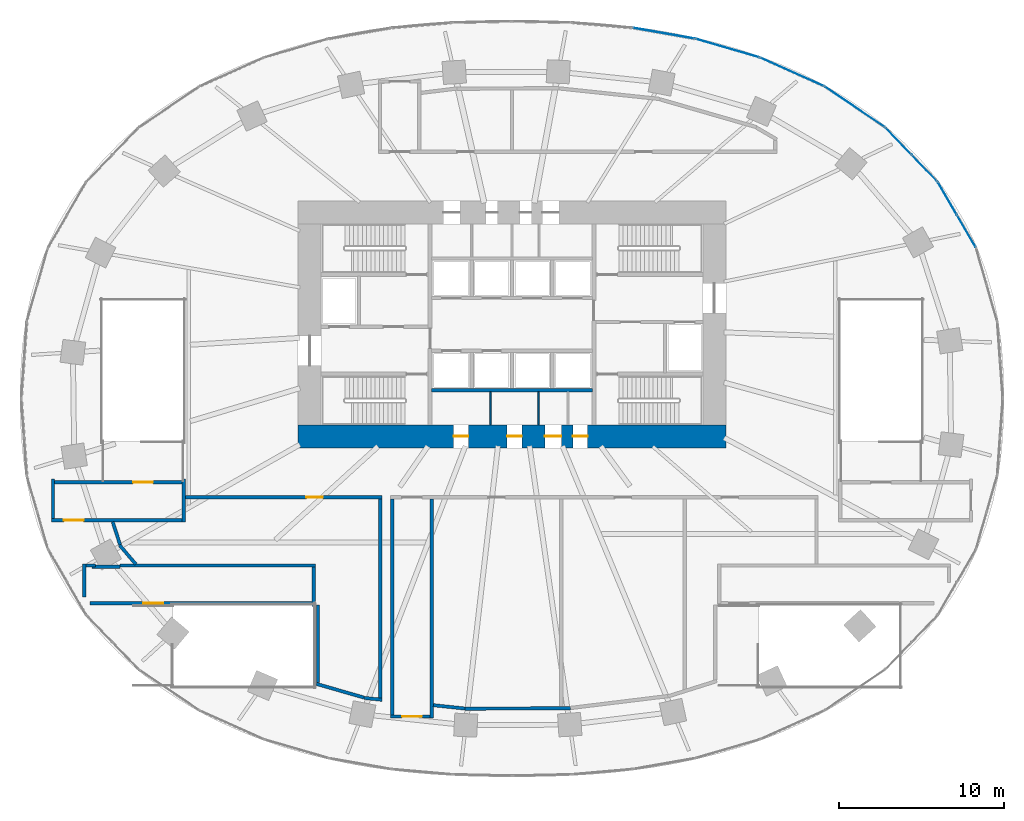
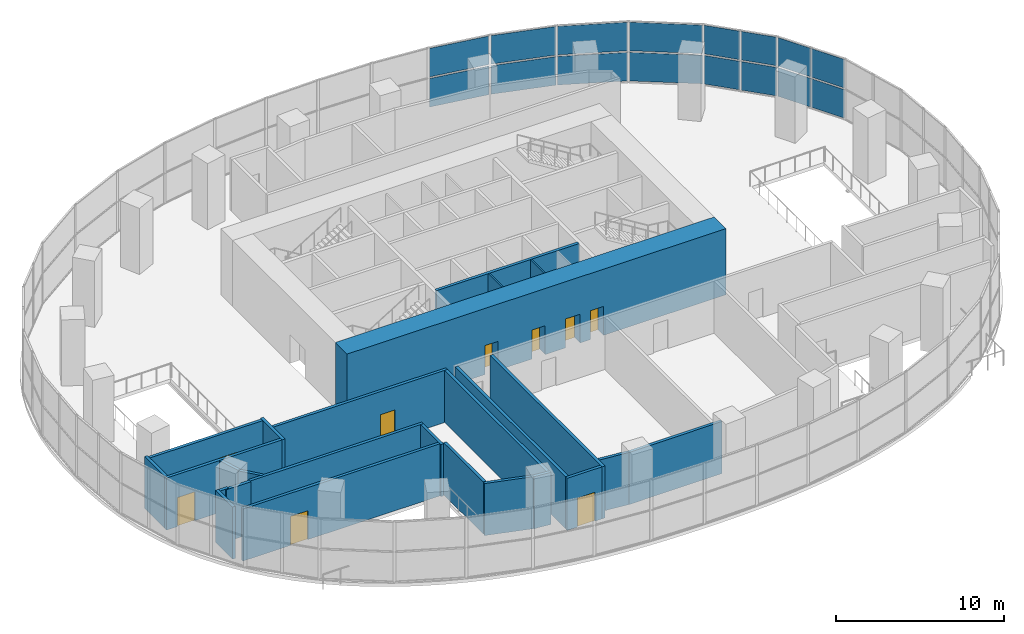
# One storey, part 11 of 17: 26 walls, 16 plates, 9 doors, 9 openings, 6 elements without a shape of their own.
"""IFC4 building model written with IfcOpenShell, lengths in metres."""

from ifc_helpers import new_model, si_unit, direction, frame, frame_2d, origin, origin_2d, place, context, subcontext, project, spatial, rectangle, extrude, material, layer, layer_set, type_object, element, fill, aggregate, save


model = new_model("IFC4")

# Units and contexts
model_context = context("Model", 3, precision=1e-05, world=origin(), true_north=direction((0.0, 1.0)))
body_context = subcontext(model_context, "Body", "Model", "MODEL_VIEW")
ifc_project = project(units=[si_unit("LENGTHUNIT", "METRE"), si_unit("AREAUNIT", "SQUARE_METRE"), si_unit("VOLUMEUNIT", "CUBIC_METRE"), si_unit("PLANEANGLEUNIT", "RADIAN"), si_unit("MASSUNIT", "GRAM", prefix="KILO")], contexts=[model_context])

# Site, building, storey
site_placement = place(None, origin())
site = spatial("IfcSite", under=ifc_project, at=site_placement, CompositionType="ELEMENT")
building_placement = place(site_placement, origin())
building = spatial("IfcBuilding", under=site, at=building_placement, Name="Rubra Terraces Tower", CompositionType="ELEMENT")
storey_placement = place(building_placement, frame((0.0, 0.0, 28.199951171875)))
storey = spatial("IfcBuildingStorey", under=building, at=storey_placement, Name="L04", CompositionType="ELEMENT", Elevation=28.199951171875)

# Curtain wall, plates
ifc_material_1 = material(Name="Aluminium and glass", Category="aluminium")
curtain_wall_type = type_object("IfcCurtainWallType", Name="Curtain wall Podium glazing", PredefinedType="NOTDEFINED", material=ifc_material_1)
curtain_wall_1_placement = place(storey_placement, origin())
curtain_wall_1 = element("IfcCurtainWall", 1, at=curtain_wall_1_placement, inside=storey, type_object=curtain_wall_type, Name="L04 glazing bay 3", PredefinedType="NOTDEFINED")
ifc_material_2 = material(Name="Clear glass, laminated", Category="glass")
ifc_layer_1 = layer(ifc_material_2, 0.028076171875)
ifc_layer_set_1 = layer_set([ifc_layer_1], Name="Clear glass, laminated")
plate_type = type_object("IfcPlateType", Name="Podium glazing glass panel 28", PredefinedType="CURTAIN_PANEL", material=ifc_layer_set_1)
plate_1_placement = place(storey_placement, frame((27.611083984375, 10.1669921875, 0.1201171875), z_axis=(0.0, 0.0, 1.0), x_axis=(-0.502094070187, 0.864813011398, 0.0)))
plate_1 = element("IfcPlate", 2, at=plate_1_placement, type_object=plate_type, Name="CW1 panel 1.1", PredefinedType="CURTAIN_PANEL", context=body_context, shape_type="SweptSolid", body=[
    extrude(rectangle(XDim=2.23828125, YDim=0.028076171875, at=origin_2d()), origin(), (0.0, 0.0, 1.0), 2.070068359375),
])
plate_2_placement = place(storey_placement, frame((27.611083984375, 10.1669921875, 2.31005859375), z_axis=(0.0, 0.0, 1.0), x_axis=(-0.502094070187, 0.864813011398, 0.0)))
plate_2 = element("IfcPlate", 3, at=plate_2_placement, type_object=plate_type, Name="CW1 panel 1.2", PredefinedType="CURTAIN_PANEL", context=body_context, shape_type="SweptSolid", body=[
    extrude(rectangle(XDim=2.23828125, YDim=0.028076171875, at=origin_2d()), origin(), (0.0, 0.0, 1.0), 2.070068359375),
])
plate_3_placement = place(storey_placement, frame((26.45703125, 12.154541015625, 0.1201171875), z_axis=(0.0, 0.0, 1.0), x_axis=(-0.502094070187, 0.864813011398, 0.0)))
plate_3 = element("IfcPlate", 4, at=plate_3_placement, type_object=plate_type, Name="CW1 panel 2.1", PredefinedType="CURTAIN_PANEL", context=body_context, shape_type="SweptSolid", body=[
    extrude(rectangle(XDim=2.23828125, YDim=0.028076171875, at=origin_2d()), origin(), (0.0, 0.0, 1.0), 2.070068359375),
])
plate_4_placement = place(storey_placement, frame((26.45703125, 12.154541015625, 2.31005859375), z_axis=(0.0, 0.0, 1.0), x_axis=(-0.502094070187, 0.864813011398, 0.0)))
plate_4 = element("IfcPlate", 5, at=plate_4_placement, type_object=plate_type, Name="CW1 panel 2.2", PredefinedType="CURTAIN_PANEL", context=body_context, shape_type="SweptSolid", body=[
    extrude(rectangle(XDim=2.23828125, YDim=0.028076171875, at=origin_2d()), origin(), (0.0, 0.0, 1.0), 2.070068359375),
])
aggregate(curtain_wall_1, [plate_1, plate_2, plate_3, plate_4])

curtain_wall_2_placement = place(storey_placement, origin())
curtain_wall_2 = element("IfcCurtainWall", 6, at=curtain_wall_2_placement, inside=storey, type_object=curtain_wall_type, Name="L04 glazing bay 4", PredefinedType="NOTDEFINED")
plate_5_placement = place(storey_placement, frame((25.06787109375, 13.998046875, 0.1201171875), z_axis=(0.0, 0.0, 1.0), x_axis=(-0.69415569917, 0.71982488517, 0.0)))
plate_5 = element("IfcPlate", 7, at=plate_5_placement, type_object=plate_type, Name="CW1 panel 1.1", PredefinedType="CURTAIN_PANEL", context=body_context, shape_type="SweptSolid", body=[
    extrude(rectangle(XDim=2.20849609375, YDim=0.028076171875, at=origin_2d()), origin(), (0.0, 0.0, 1.0), 2.070068359375),
])
plate_6_placement = place(storey_placement, frame((25.06787109375, 13.998046875, 2.31005859375), z_axis=(0.0, 0.0, 1.0), x_axis=(-0.69415569917, 0.71982488517, 0.0)))
plate_6 = element("IfcPlate", 8, at=plate_6_placement, type_object=plate_type, Name="CW1 panel 1.2", PredefinedType="CURTAIN_PANEL", context=body_context, shape_type="SweptSolid", body=[
    extrude(rectangle(XDim=2.20849609375, YDim=0.028076171875, at=origin_2d()), origin(), (0.0, 0.0, 1.0), 2.070068359375),
])
plate_7_placement = place(storey_placement, frame((23.4931640625, 15.630859375, 0.1201171875), z_axis=(0.0, 0.0, 1.0), x_axis=(-0.69415569917, 0.71982488517, 0.0)))
plate_7 = element("IfcPlate", 9, at=plate_7_placement, type_object=plate_type, Name="CW1 panel 2.1", PredefinedType="CURTAIN_PANEL", context=body_context, shape_type="SweptSolid", body=[
    extrude(rectangle(XDim=2.20849609375, YDim=0.028076171875, at=origin_2d()), origin(), (0.0, 0.0, 1.0), 2.070068359375),
])
plate_8_placement = place(storey_placement, frame((23.4931640625, 15.630859375, 2.31005859375), z_axis=(0.0, 0.0, 1.0), x_axis=(-0.69415569917, 0.71982488517, 0.0)))
plate_8 = element("IfcPlate", 10, at=plate_8_placement, type_object=plate_type, Name="CW1 panel 2.2", PredefinedType="CURTAIN_PANEL", context=body_context, shape_type="SweptSolid", body=[
    extrude(rectangle(XDim=2.20849609375, YDim=0.028076171875, at=origin_2d()), origin(), (0.0, 0.0, 1.0), 2.070068359375),
])
aggregate(curtain_wall_2, [plate_5, plate_6, plate_7, plate_8])

curtain_wall_3_placement = place(storey_placement, origin())
curtain_wall_3 = element("IfcCurtainWall", 11, at=curtain_wall_3_placement, inside=storey, type_object=curtain_wall_type, Name="L04 glazing bay 5", PredefinedType="NOTDEFINED")
plate_9_placement = place(storey_placement, frame((20.840576171875, 17.711181640625, 0.1201171875), z_axis=(0.0, 0.0, 1.0), x_axis=(-0.828980654031, 0.55927727939, 0.0)))
plate_9 = element("IfcPlate", 12, at=plate_9_placement, type_object=plate_type, Name="CW1 panel 1.1", PredefinedType="CURTAIN_PANEL", context=body_context, shape_type="SweptSolid", body=[
    extrude(rectangle(XDim=4.35888671875, YDim=0.028076171875, at=origin_2d()), origin(), (0.0, 0.0, 1.0), 2.070068359375),
])
plate_10_placement = place(storey_placement, frame((20.840576171875, 17.711181640625, 2.31005859375), z_axis=(0.0, 0.0, 1.0), x_axis=(-0.828980654031, 0.55927727939, 0.0)))
plate_10 = element("IfcPlate", 13, at=plate_10_placement, type_object=plate_type, Name="CW1 panel 1.2", PredefinedType="CURTAIN_PANEL", context=body_context, shape_type="SweptSolid", body=[
    extrude(rectangle(XDim=4.35888671875, YDim=0.028076171875, at=origin_2d()), origin(), (0.0, 0.0, 1.0), 2.070068359375),
])
aggregate(curtain_wall_3, [plate_9, plate_10])

curtain_wall_4_placement = place(storey_placement, origin())
curtain_wall_4 = element("IfcCurtainWall", 14, at=curtain_wall_4_placement, inside=storey, type_object=curtain_wall_type, Name="L04 glazing bay 6", PredefinedType="NOTDEFINED")
plate_11_placement = place(storey_placement, frame((17.03271484375, 19.837158203125, 0.1201171875), z_axis=(0.0, 0.0, 1.0), x_axis=(-0.912551215254, 0.4089624427, 0.0)))
plate_11 = element("IfcPlate", 15, at=plate_11_placement, type_object=plate_type, Name="CW1 panel 1.1", PredefinedType="CURTAIN_PANEL", context=body_context, shape_type="SweptSolid", body=[
    extrude(rectangle(XDim=4.18115234375, YDim=0.028076171875, at=origin_2d()), origin(), (0.0, 0.0, 1.0), 2.070068359375),
])
plate_12_placement = place(storey_placement, frame((17.03271484375, 19.837158203125, 2.31005859375), z_axis=(0.0, 0.0, 1.0), x_axis=(-0.912551215254, 0.4089624427, 0.0)))
plate_12 = element("IfcPlate", 16, at=plate_12_placement, type_object=plate_type, Name="CW1 panel 1.2", PredefinedType="CURTAIN_PANEL", context=body_context, shape_type="SweptSolid", body=[
    extrude(rectangle(XDim=4.18115234375, YDim=0.028076171875, at=origin_2d()), origin(), (0.0, 0.0, 1.0), 2.070068359375),
])
aggregate(curtain_wall_4, [plate_11, plate_12])

curtain_wall_5_placement = place(storey_placement, origin())
curtain_wall_5 = element("IfcCurtainWall", 17, at=curtain_wall_5_placement, inside=storey, type_object=curtain_wall_type, Name="L04 glazing bay 7", PredefinedType="NOTDEFINED")
plate_13_placement = place(storey_placement, frame((13.115966796875, 21.284423828125, 0.1201171875), z_axis=(0.0, 0.0, 1.0), x_axis=(-0.96017502931, 0.279399200229, 0.0)))
plate_13 = element("IfcPlate", 18, at=plate_13_placement, type_object=plate_type, Name="CW1 panel 1.1", PredefinedType="CURTAIN_PANEL", context=body_context, shape_type="SweptSolid", body=[
    extrude(rectangle(XDim=3.970947265625, YDim=0.028076171875, at=origin_2d()), origin(), (0.0, 0.0, 1.0), 2.070068359375),
])
plate_14_placement = place(storey_placement, frame((13.115966796875, 21.284423828125, 2.31005859375), z_axis=(0.0, 0.0, 1.0), x_axis=(-0.96017502931, 0.279399200229, 0.0)))
plate_14 = element("IfcPlate", 19, at=plate_14_placement, type_object=plate_type, Name="CW1 panel 1.2", PredefinedType="CURTAIN_PANEL", context=body_context, shape_type="SweptSolid", body=[
    extrude(rectangle(XDim=3.970947265625, YDim=0.028076171875, at=origin_2d()), origin(), (0.0, 0.0, 1.0), 2.070068359375),
])
aggregate(curtain_wall_5, [plate_13, plate_14])

curtain_wall_6_placement = place(storey_placement, origin())
curtain_wall_6 = element("IfcCurtainWall", 20, at=curtain_wall_6_placement, inside=storey, type_object=curtain_wall_type, Name="L04 glazing bay 8", PredefinedType="NOTDEFINED")
plate_15_placement = place(storey_placement, frame((9.2451171875, 22.190185546875, 0.1201171875), z_axis=(0.0, 0.0, 1.0), x_axis=(-0.984953952909, 0.172816985997, 0.0)))
plate_15 = element("IfcPlate", 21, at=plate_15_placement, type_object=plate_type, Name="CW1 panel 1.1", PredefinedType="CURTAIN_PANEL", context=body_context, shape_type="SweptSolid", body=[
    extrude(rectangle(XDim=3.7685546875, YDim=0.028076171875, at=origin_2d()), origin(), (0.0, 0.0, 1.0), 2.070068359375),
])
plate_16_placement = place(storey_placement, frame((9.2451171875, 22.190185546875, 2.31005859375), z_axis=(0.0, 0.0, 1.0), x_axis=(-0.984953952909, 0.172816985997, 0.0)))
plate_16 = element("IfcPlate", 22, at=plate_16_placement, type_object=plate_type, Name="CW1 panel 1.2", PredefinedType="CURTAIN_PANEL", context=body_context, shape_type="SweptSolid", body=[
    extrude(rectangle(XDim=3.7685546875, YDim=0.028076171875, at=origin_2d()), origin(), (0.0, 0.0, 1.0), 2.070068359375),
])
aggregate(curtain_wall_6, [plate_15, plate_16])

# Wall, openings, doors
ifc_material_3 = material(Name="Concrete C70", Category="concrete")
ifc_layer_2 = layer(ifc_material_3, 1.39990234375)
ifc_layer_set_2 = layer_set([ifc_layer_2], Name="Concrete C70")
wall_type_1 = type_object("IfcWallType", Name="CORE WALL 1400 C70", PredefinedType="SHEAR", material=ifc_layer_set_2)
wall_1_placement = place(storey_placement, frame((-13.0, -2.300048828125, 0.0), z_axis=(0.0, 0.0, 1.0), x_axis=(1.0, 0.0, 0.0)))
wall_1 = element("IfcWall", 23, at=wall_1_placement, inside=storey, type_object=wall_type_1, Name="CORE WALL S L04", PredefinedType="SHEAR", context=body_context, shape_type="SweptSolid", body=[
    extrude(rectangle(XDim=26.0, YDim=1.39990234375, at=frame_2d((13.0, 0.0))), origin(), (0.0, 0.0, 1.0), 4.800048828125),
])
opening_1_placement = place(wall_1_placement, frame((9.449951171875, 0.0, 0.0)))
opening_1 = element("IfcOpeningElement", 24, at=opening_1_placement, cuts=wall_1, Name="Opening L04.C19", PredefinedType="OPENING", context=body_context, shape_type="SweptSolid", body=[
    extrude(rectangle(XDim=0.89990234375, YDim=2.10009765625, at=frame_2d((0.449951171875, 1.050048828125))), frame((0.0, 0.7099609375, 0.0), z_axis=(0.0, -1.0, 0.0), x_axis=(1.0, 0.0, 0.0)), (0.0, 0.0, 1.0), 1.419921875),
])
opening_2_placement = place(wall_1_placement, frame((12.699951171875, 0.0, 0.0)))
opening_2 = element("IfcOpeningElement", 25, at=opening_2_placement, cuts=wall_1, Name="Opening L04.C20", PredefinedType="OPENING", context=body_context, shape_type="SweptSolid", body=[
    extrude(rectangle(XDim=0.89990234375, YDim=2.10009765625, at=frame_2d((0.449951171875, 1.050048828125))), frame((0.0, 0.7099609375, 0.0), z_axis=(0.0, -1.0, 0.0), x_axis=(1.0, 0.0, 0.0)), (0.0, 0.0, 1.0), 1.419921875),
])
opening_3_placement = place(wall_1_placement, frame((15.0, 0.0, 0.0)))
opening_3 = element("IfcOpeningElement", 26, at=opening_3_placement, cuts=wall_1, Name="Opening L04.C21", PredefinedType="OPENING", context=body_context, shape_type="SweptSolid", body=[
    extrude(rectangle(XDim=1.0, YDim=2.10009765625, at=frame_2d((0.5, 1.050048828125))), frame((0.0, 0.7099609375, 0.0), z_axis=(0.0, -1.0, 0.0), x_axis=(1.0, 0.0, 0.0)), (0.0, 0.0, 1.0), 1.419921875),
])
opening_4_placement = place(wall_1_placement, frame((16.699951171875, 0.0, 0.0)))
opening_4 = element("IfcOpeningElement", 27, at=opening_4_placement, cuts=wall_1, Name="Opening L04.C22", PredefinedType="OPENING", context=body_context, shape_type="SweptSolid", body=[
    extrude(rectangle(XDim=0.89990234375, YDim=2.10009765625, at=frame_2d((0.449951171875, 1.050048828125))), frame((0.0, 0.7099609375, 0.0), z_axis=(0.0, -1.0, 0.0), x_axis=(1.0, 0.0, 0.0)), (0.0, 0.0, 1.0), 1.419921875),
])
ifc_material_4 = material(Name="Painted steel", Category="steel")
door_type_1 = type_object("IfcDoorType", Name="Fire door 1000x2100 single", OperationType="NOTDEFINED", PredefinedType="DOOR", material=ifc_material_4)
door_1_placement = place(opening_3_placement, origin())
door_1 = element("IfcDoor", 28, at=door_1_placement, inside=storey, type_object=door_type_1, Name="Accessible WC door", OperationType="SINGLE_SWING_LEFT", OverallHeight=2.10009765625, OverallWidth=1.0, PredefinedType="DOOR", context=body_context, shape_type="SweptSolid", body=[
    extrude(rectangle(XDim=1.0, YDim=2.10009765625, at=frame_2d((0.5, 1.050048828125))), frame((0.0, 0.02490234375, 0.0), z_axis=(0.0, -1.0, 0.0), x_axis=(1.0, 0.0, 0.0)), (0.0, 0.0, 1.0), 0.050048828125),
])
fill(opening_3, door_1)
door_type_2 = type_object("IfcDoorType", Name="Fire door 900x2100 single", OperationType="NOTDEFINED", PredefinedType="DOOR", material=ifc_material_4)
door_2_placement = place(opening_1_placement, origin())
door_2 = element("IfcDoor", 29, at=door_2_placement, inside=storey, type_object=door_type_2, Name="Gents WC door", OperationType="SINGLE_SWING_LEFT", OverallHeight=2.10009765625, OverallWidth=0.89990234375, PredefinedType="DOOR", context=body_context, shape_type="SweptSolid", body=[
    extrude(rectangle(XDim=0.89990234375, YDim=2.10009765625, at=frame_2d((0.449951171875, 1.050048828125))), frame((0.0, 0.02490234375, 0.0), z_axis=(0.0, -1.0, 0.0), x_axis=(1.0, 0.0, 0.0)), (0.0, 0.0, 1.0), 0.050048828125),
])
fill(opening_1, door_2)
door_3_placement = place(opening_2_placement, origin())
door_3 = element("IfcDoor", 30, at=door_3_placement, inside=storey, type_object=door_type_2, Name="Ladies WC door", OperationType="SINGLE_SWING_RIGHT", OverallHeight=2.10009765625, OverallWidth=0.89990234375, PredefinedType="DOOR", context=body_context, shape_type="SweptSolid", body=[
    extrude(rectangle(XDim=0.89990234375, YDim=2.10009765625, at=frame_2d((0.449951171875, 1.050048828125))), frame((0.0, 0.02490234375, 0.0), z_axis=(0.0, -1.0, 0.0), x_axis=(1.0, 0.0, 0.0)), (0.0, 0.0, 1.0), 0.050048828125),
])
fill(opening_2, door_3)
door_4_placement = place(opening_4_placement, origin())
door_4 = element("IfcDoor", 31, at=door_4_placement, inside=storey, type_object=door_type_2, Name="Cleaner's store door", OperationType="SINGLE_SWING_RIGHT", OverallHeight=2.10009765625, OverallWidth=0.89990234375, PredefinedType="DOOR", context=body_context, shape_type="SweptSolid", body=[
    extrude(rectangle(XDim=0.89990234375, YDim=2.10009765625, at=frame_2d((0.449951171875, 1.050048828125))), frame((0.0, 0.02490234375, 0.0), z_axis=(0.0, -1.0, 0.0), x_axis=(1.0, 0.0, 0.0)), (0.0, 0.0, 1.0), 0.050048828125),
])
fill(opening_4, door_4)

# Walls
ifc_material_5 = material(Name="Concrete C30", Category="concrete")
ifc_layer_3 = layer(ifc_material_5, 0.199951171875)
ifc_layer_set_3 = layer_set([ifc_layer_3], Name="Concrete C30")
wall_type_2 = type_object("IfcWallType", Name="Core wall 200 concrete", PredefinedType="SOLIDWALL", material=ifc_layer_set_3)
wall_2_placement = place(storey_placement, frame((-4.89990234375, 0.5, 0.0), z_axis=(0.0, 0.0, 1.0), x_axis=(1.0, 0.0, 0.0)))
element("IfcWall", 32, at=wall_2_placement, inside=storey, type_object=wall_type_2, Name="LIFT SHAFT WALL L04", PredefinedType="SOLIDWALL", context=body_context, shape_type="SweptSolid", body=[
    extrude(rectangle(XDim=9.7998046875, YDim=0.199951171875, at=frame_2d((4.89990234375, 0.0))), origin(), (0.0, 0.0, 1.0), 4.5),
])
ifc_material_6 = material(Name="Blockwork", Category="masonry")
ifc_layer_4 = layer(ifc_material_6, 0.199951171875)
ifc_layer_set_4 = layer_set([ifc_layer_4], Name="Blockwork")
wall_type_3 = type_object("IfcWallType", Name="Corridor partition 200 blockwork", PredefinedType="PARTITIONING", material=ifc_layer_set_4)
wall_3_placement = place(storey_placement, frame((-19.949951171875, -4.89990234375, 0.0), z_axis=(0.0, 0.0, 1.0), x_axis=(0.0, -1.0, 0.0)))
element("IfcWall", 33, at=wall_3_placement, inside=storey, type_object=wall_type_3, Name="Partition wall", PredefinedType="PARTITIONING", context=body_context, shape_type="SweptSolid", body=[
    extrude(rectangle(XDim=2.60009765625, YDim=0.199951171875, at=frame_2d((1.300048828125, 0.0))), origin(), (0.0, 0.0, 1.0), 3.780029296875),
])

# Wall, opening, door
wall_4_placement = place(storey_placement, frame((-20.050048828125, -7.39990234375, 0.0), z_axis=(0.0, 0.0, 1.0), x_axis=(-1.0, 0.0, 0.0)))
wall_4 = element("IfcWall", 34, at=wall_4_placement, inside=storey, type_object=wall_type_3, Name="Partition wall", PredefinedType="PARTITIONING", context=body_context, shape_type="SweptSolid", body=[
    extrude(rectangle(XDim=7.949951171875, YDim=0.199951171875, at=frame_2d((3.97509765625, 0.0))), origin(), (0.0, 0.0, 1.0), 3.780029296875),
])
opening_5_placement = place(wall_4_placement, frame((5.97607421875, 0.0, 0.0)))
opening_5 = element("IfcOpeningElement", 35, at=opening_5_placement, cuts=wall_4, Name="Opening DB7", PredefinedType="OPENING", context=body_context, shape_type="SweptSolid", body=[
    extrude(rectangle(XDim=1.199951171875, YDim=2.10009765625, at=frame_2d((0.60009765625, 1.050048828125))), frame((0.0, 0.10986328125, 0.0), z_axis=(0.0, -1.0, 0.0), x_axis=(1.0, 0.0, 0.0)), (0.0, 0.0, 1.0), 0.219970703125),
])
ifc_material_7 = material(Name="Painted timber", Category="wood")
door_type_3 = type_object("IfcDoorType", Name="Door 1200x2100 single", OperationType="NOTDEFINED", PredefinedType="DOOR", material=ifc_material_7)
door_5_placement = place(opening_5_placement, origin())
door_5 = element("IfcDoor", 36, at=door_5_placement, inside=storey, type_object=door_type_3, Name="Door L04-06", OperationType="SINGLE_SWING_LEFT", OverallHeight=2.10009765625, OverallWidth=1.199951171875, PredefinedType="DOOR", context=body_context, shape_type="SweptSolid", body=[
    extrude(rectangle(XDim=1.199951171875, YDim=2.10009765625, at=frame_2d((0.60009765625, 1.050048828125))), frame((0.0, 0.02490234375, 0.0), z_axis=(0.0, -1.0, 0.0), x_axis=(1.0, 0.0, 0.0)), (0.0, 0.0, 1.0), 0.050048828125),
])
fill(opening_5, door_5)

# Wall
wall_5_placement = place(storey_placement, frame((-27.89990234375, -7.300048828125, 0.0), z_axis=(0.0, 0.0, 1.0), x_axis=(0.0, 1.0, 0.0)))
element("IfcWall", 37, at=wall_5_placement, inside=storey, type_object=wall_type_3, Name="Partition wall", PredefinedType="PARTITIONING", context=body_context, shape_type="SweptSolid", body=[
    extrude(rectangle(XDim=2.400146484375, YDim=0.199951171875, at=frame_2d((1.2001953125, 0.0))), origin(), (0.0, 0.0, 1.0), 3.780029296875),
])

# Wall, opening, door
wall_6_placement = place(storey_placement, frame((-27.800048828125, -5.10009765625, 0.0), z_axis=(0.0, 0.0, 1.0), x_axis=(1.0, 0.0, 0.0)))
wall_6 = element("IfcWall", 38, at=wall_6_placement, inside=storey, type_object=wall_type_3, Name="Partition wall", PredefinedType="PARTITIONING", context=body_context, shape_type="SweptSolid", body=[
    extrude(rectangle(XDim=7.75, YDim=0.199951171875, at=frame_2d((3.875, 0.0))), origin(), (0.0, 0.0, 1.0), 3.780029296875),
])
opening_6_placement = place(wall_6_placement, frame((4.77490234375, 0.0, 0.0)))
opening_6 = element("IfcOpeningElement", 39, at=opening_6_placement, cuts=wall_6, Name="Opening DB7", PredefinedType="OPENING", context=body_context, shape_type="SweptSolid", body=[
    extrude(rectangle(XDim=1.199951171875, YDim=2.10009765625, at=frame_2d((0.60009765625, 1.050048828125))), frame((0.0, 0.10986328125, 0.0), z_axis=(0.0, -1.0, 0.0), x_axis=(1.0, 0.0, 0.0)), (0.0, 0.0, 1.0), 0.219970703125),
])
door_6_placement = place(opening_6_placement, origin())
door_6 = element("IfcDoor", 40, at=door_6_placement, inside=storey, type_object=door_type_3, Name="Stair door L04-05", OperationType="SINGLE_SWING_LEFT", OverallHeight=2.10009765625, OverallWidth=1.199951171875, PredefinedType="DOOR", context=body_context, shape_type="SweptSolid", body=[
    extrude(rectangle(XDim=1.199951171875, YDim=2.10009765625, at=frame_2d((0.60009765625, 1.050048828125))), frame((0.0, 0.02490234375, 0.0), z_axis=(0.0, -1.0, 0.0), x_axis=(1.0, 0.0, 0.0)), (0.0, 0.0, 1.0), 0.050048828125),
])
fill(opening_6, door_6)

# Walls
wall_7_placement = place(storey_placement, frame((-25.52587890625, -10.23291015625, 0.0), z_axis=(0.0, 0.0, 1.0), x_axis=(1.0, 0.0, 0.0)))
element("IfcWall", 41, at=wall_7_placement, inside=storey, type_object=wall_type_3, Name="Partition wall", PredefinedType="PARTITIONING", context=body_context, shape_type="SweptSolid", body=[
    extrude(rectangle(XDim=1.699951171875, YDim=0.199951171875, at=frame_2d((0.85009765625, 0.0))), origin(), (0.0, 0.0, 1.0), 3.780029296875),
])
wall_8_placement = place(storey_placement, frame((-23.825927734375, -10.14990234375, 0.0), z_axis=(0.0, 0.0, 1.0), x_axis=(1.0, 0.0, 0.0)))
element("IfcWall", 42, at=wall_8_placement, inside=storey, type_object=wall_type_3, Name="Partition wall", PredefinedType="PARTITIONING", context=body_context, shape_type="SweptSolid", body=[
    extrude(rectangle(XDim=11.885986328125, YDim=0.199951171875, at=frame_2d((5.94287109375, 0.0))), origin(), (0.0, 0.0, 1.0), 3.780029296875),
])
wall_9_placement = place(storey_placement, frame((-12.0400390625, -10.25, 0.0), z_axis=(0.0, 0.0, 1.0), x_axis=(0.0, -1.0, 0.0)))
element("IfcWall", 43, at=wall_9_placement, inside=storey, type_object=wall_type_3, Name="Partition wall", PredefinedType="PARTITIONING", context=body_context, shape_type="SweptSolid", body=[
    extrude(rectangle(XDim=2.39990234375, YDim=0.199951171875, at=frame_2d((1.199951171875, 0.0))), origin(), (0.0, 0.0, 1.0), 3.780029296875),
])

# Wall, opening, door
wall_10_placement = place(storey_placement, frame((-12.139892578125, -12.449951171875, 0.0), z_axis=(0.0, 0.0, 1.0), x_axis=(-1.0, 0.0, 0.0)))
wall_10 = element("IfcWall", 44, at=wall_10_placement, inside=storey, type_object=wall_type_3, Name="Partition wall", PredefinedType="PARTITIONING", context=body_context, shape_type="SweptSolid", body=[
    extrude(rectangle(XDim=13.52001953125, YDim=0.199951171875, at=frame_2d((6.760009765625, 0.0))), origin(), (0.0, 0.0, 1.0), 3.780029296875),
])
opening_7_placement = place(wall_10_placement, frame((9.06005859375, 0.0, 0.0)))
opening_7 = element("IfcOpeningElement", 45, at=opening_7_placement, cuts=wall_10, Name="Opening DB7", PredefinedType="OPENING", context=body_context, shape_type="SweptSolid", body=[
    extrude(rectangle(XDim=1.199951171875, YDim=2.10009765625, at=frame_2d((0.60009765625, 1.050048828125))), frame((0.0, 0.10986328125, 0.0), z_axis=(0.0, -1.0, 0.0), x_axis=(1.0, 0.0, 0.0)), (0.0, 0.0, 1.0), 0.219970703125),
])
door_7_placement = place(opening_7_placement, origin())
door_7 = element("IfcDoor", 46, at=door_7_placement, inside=storey, type_object=door_type_3, Name="Stair door L04-09", OperationType="SINGLE_SWING_LEFT", OverallHeight=2.10009765625, OverallWidth=1.199951171875, PredefinedType="DOOR", context=body_context, shape_type="SweptSolid", body=[
    extrude(rectangle(XDim=1.199951171875, YDim=2.10009765625, at=frame_2d((0.60009765625, 1.050048828125))), frame((0.0, 0.02490234375, 0.0), z_axis=(0.0, -1.0, 0.0), x_axis=(1.0, 0.0, 0.0)), (0.0, 0.0, 1.0), 0.050048828125),
])
fill(opening_7, door_7)

# Walls
wall_11_placement = place(storey_placement, frame((-26.0, -12.06298828125, 0.0), z_axis=(0.0, 0.0, 1.0), x_axis=(0.0, 1.0, 0.0)))
element("IfcWall", 47, at=wall_11_placement, inside=storey, type_object=wall_type_3, Name="Partition wall", PredefinedType="PARTITIONING", context=body_context, shape_type="SweptSolid", body=[
    extrude(rectangle(XDim=2.012939453125, YDim=0.199951171875, at=frame_2d((1.00634765625, 0.0))), origin(), (0.0, 0.0, 1.0), 3.780029296875),
])
wall_12_placement = place(storey_placement, frame((-25.89990234375, -10.14990234375, 0.0), z_axis=(0.0, 0.0, 1.0), x_axis=(1.0, 0.0, 0.0)))
element("IfcWall", 48, at=wall_12_placement, inside=storey, type_object=wall_type_3, Name="Partition wall", PredefinedType="PARTITIONING", context=body_context, shape_type="SweptSolid", body=[
    extrude(rectangle(XDim=0.573974609375, YDim=0.199951171875, at=frame_2d((0.287109375, 0.0))), origin(), (0.0, 0.0, 1.0), 3.780029296875),
])
wall_13_placement = place(storey_placement, frame((-4.8779296875, -6.10009765625, 0.0), z_axis=(0.0, 0.0, 1.0), x_axis=(0.0, -1.0, 0.0)))
element("IfcWall", 49, at=wall_13_placement, inside=storey, type_object=wall_type_3, Name="Partition wall", PredefinedType="PARTITIONING", context=body_context, shape_type="SweptSolid", body=[
    extrude(rectangle(XDim=13.330810546875, YDim=0.199951171875, at=frame_2d((6.66552734375, 0.0))), origin(), (0.0, 0.0, 1.0), 3.780029296875),
])

# Wall, opening, door
wall_14_placement = place(storey_placement, frame((-4.97802734375, -19.3310546875, 0.0), z_axis=(0.0, 0.0, 1.0), x_axis=(-1.0, 0.0, 0.0)))
wall_14 = element("IfcWall", 50, at=wall_14_placement, inside=storey, type_object=wall_type_3, Name="Partition wall", PredefinedType="PARTITIONING", context=body_context, shape_type="SweptSolid", body=[
    extrude(rectangle(XDim=2.39990234375, YDim=0.199951171875, at=frame_2d((1.199951171875, 0.0))), origin(), (0.0, 0.0, 1.0), 3.780029296875),
])
opening_8_placement = place(wall_14_placement, frame((0.5, 0.0, 0.0)))
opening_8 = element("IfcOpeningElement", 51, at=opening_8_placement, cuts=wall_14, Name="Opening DB7", PredefinedType="OPENING", context=body_context, shape_type="SweptSolid", body=[
    extrude(rectangle(XDim=1.199951171875, YDim=2.10009765625, at=frame_2d((0.60009765625, 1.050048828125))), frame((0.0, 0.10986328125, 0.0), z_axis=(0.0, -1.0, 0.0), x_axis=(1.0, 0.0, 0.0)), (0.0, 0.0, 1.0), 0.219970703125),
])
door_8_placement = place(opening_8_placement, origin())
door_8 = element("IfcDoor", 52, at=door_8_placement, inside=storey, type_object=door_type_3, Name="Door L04-04", OperationType="SINGLE_SWING_LEFT", OverallHeight=2.10009765625, OverallWidth=1.199951171875, PredefinedType="DOOR", context=body_context, shape_type="SweptSolid", body=[
    extrude(rectangle(XDim=1.199951171875, YDim=2.10009765625, at=frame_2d((0.60009765625, 1.050048828125))), frame((0.0, 0.02490234375, 0.0), z_axis=(0.0, -1.0, 0.0), x_axis=(1.0, 0.0, 0.0)), (0.0, 0.0, 1.0), 0.050048828125),
])
fill(opening_8, door_8)

# Walls
wall_15_placement = place(storey_placement, frame((-7.278076171875, -19.23095703125, 0.0), z_axis=(0.0, 0.0, 1.0), x_axis=(0.0, 1.0, 0.0)))
element("IfcWall", 53, at=wall_15_placement, inside=storey, type_object=wall_type_3, Name="Partition wall", PredefinedType="PARTITIONING", context=body_context, shape_type="SweptSolid", body=[
    extrude(rectangle(XDim=13.130859375, YDim=0.199951171875, at=frame_2d((6.5654296875, 0.0))), origin(), (0.0, 0.0, 1.0), 3.780029296875),
])
wall_16_placement = place(storey_placement, frame((-7.90087890625, -18.31201171875, 0.0), z_axis=(0.0, 0.0, 1.0), x_axis=(-0.994571829754, 0.104052272726, 0.0)))
element("IfcWall", 54, at=wall_16_placement, inside=storey, type_object=wall_type_3, Name="Partition wall", PredefinedType="PARTITIONING", context=body_context, shape_type="SweptSolid", body=[
    extrude(rectangle(XDim=1.105224609375, YDim=0.199951171875, at=frame_2d((0.552734375, 0.0))), origin(), (0.0, 0.0, 1.0), 3.780029296875),
])
wall_17_placement = place(storey_placement, frame((-8.9970703125, -18.178955078125, 0.0), z_axis=(0.0, 0.0, 1.0), x_axis=(-0.960766604917, 0.277358127474, 0.0)))
element("IfcWall", 55, at=wall_17_placement, inside=storey, type_object=wall_type_3, Name="Partition wall", PredefinedType="PARTITIONING", context=body_context, shape_type="SweptSolid", body=[
    extrude(rectangle(XDim=3.0068359375, YDim=0.199951171875, at=frame_2d((1.50341796875, 0.0))), origin(), (0.0, 0.0, 1.0), 3.780029296875),
])
wall_18_placement = place(storey_placement, frame((-22.85888671875, -10.073974609375, 0.0), z_axis=(0.0, 0.0, 1.0), x_axis=(-0.648685680777, 0.761056428628, 0.0)))
element("IfcWall", 56, at=wall_18_placement, inside=storey, type_object=wall_type_3, Name="Partition wall", PredefinedType="PARTITIONING", context=body_context, shape_type="SweptSolid", body=[
    extrude(rectangle(XDim=1.529541015625, YDim=0.199951171875, at=frame_2d((0.7646484375, 0.0))), origin(), (0.0, 0.0, 1.0), 3.780029296875),
])
wall_19_placement = place(storey_placement, frame((-23.81689453125, -8.89111328125, 0.0), z_axis=(0.0, 0.0, 1.0), x_axis=(-0.306321721395, 0.951928045076, 0.0)))
element("IfcWall", 57, at=wall_19_placement, inside=storey, type_object=wall_type_3, Name="Partition wall", PredefinedType="PARTITIONING", context=body_context, shape_type="SweptSolid", body=[
    extrude(rectangle(XDim=1.466552734375, YDim=0.199951171875, at=frame_2d((0.7333984375, 0.0))), origin(), (0.0, 0.0, 1.0), 3.780029296875),
])

# Wall, opening, door
wall_20_placement = place(storey_placement, frame((-19.85009765625, -6.0, 0.0), z_axis=(0.0, 0.0, 1.0), x_axis=(1.0, 0.0, 0.0)))
wall_20 = element("IfcWall", 58, at=wall_20_placement, inside=storey, type_object=wall_type_3, Name="Partition wall", PredefinedType="PARTITIONING", context=body_context, shape_type="SweptSolid", body=[
    extrude(rectangle(XDim=11.9501953125, YDim=0.199951171875, at=frame_2d((5.97509765625, 0.0))), origin(), (0.0, 0.0, 1.0), 3.780029296875),
])
opening_9_placement = place(wall_20_placement, frame((7.35009765625, 0.0, 0.0)))
opening_9 = element("IfcOpeningElement", 59, at=opening_9_placement, cuts=wall_20, Name="Opening DB1", PredefinedType="OPENING", context=body_context, shape_type="SweptSolid", body=[
    extrude(rectangle(XDim=1.0, YDim=2.10009765625, at=frame_2d((0.5, 1.050048828125))), frame((0.0, 0.10986328125, 0.0), z_axis=(0.0, -1.0, 0.0), x_axis=(1.0, 0.0, 0.0)), (0.0, 0.0, 1.0), 0.219970703125),
])
door_type_4 = type_object("IfcDoorType", Name="Door 1000x2100 single", OperationType="NOTDEFINED", PredefinedType="DOOR", material=ifc_material_7)
door_9_placement = place(opening_9_placement, origin())
door_9 = element("IfcDoor", 60, at=door_9_placement, inside=storey, type_object=door_type_4, Name="Door L04-11", OperationType="SINGLE_SWING_LEFT", OverallHeight=2.10009765625, OverallWidth=1.0, PredefinedType="DOOR", context=body_context, shape_type="SweptSolid", body=[
    extrude(rectangle(XDim=1.0, YDim=2.10009765625, at=frame_2d((0.5, 1.050048828125))), frame((0.0, 0.02490234375, 0.0), z_axis=(0.0, -1.0, 0.0), x_axis=(1.0, 0.0, 0.0)), (0.0, 0.0, 1.0), 0.050048828125),
])
fill(opening_9, door_9)

# Walls
wall_21_placement = place(storey_placement, frame((3.5458984375, -18.823974609375, 0.0), z_axis=(0.0, 0.0, 1.0), x_axis=(-0.999989016365, -0.004686912663, 0.0)))
element("IfcWall", 61, at=wall_21_placement, inside=storey, type_object=wall_type_3, Name="Partition wall", PredefinedType="PARTITIONING", context=body_context, shape_type="SweptSolid", body=[
    extrude(rectangle(XDim=6.406982421875, YDim=0.199951171875, at=frame_2d((3.20361328125, 0.0))), origin(), (0.0, 0.0, 1.0), 3.780029296875),
])
wall_22_placement = place(storey_placement, frame((-2.860107421875, -18.843994140625, 0.0), z_axis=(0.0, 0.0, 1.0), x_axis=(-0.994457513639, 0.105139210412, 0.0)))
element("IfcWall", 62, at=wall_22_placement, inside=storey, type_object=wall_type_3, Name="Partition wall", PredefinedType="PARTITIONING", context=body_context, shape_type="SweptSolid", body=[
    extrude(rectangle(XDim=1.9296875, YDim=0.199951171875, at=frame_2d((0.96484375, 0.0))), origin(), (0.0, 0.0, 1.0), 3.780029296875),
])
ifc_layer_5 = layer(ifc_material_6, 0.199951171875)
ifc_layer_set_5 = layer_set([ifc_layer_5], Name="Blockwork")
wall_type_4 = type_object("IfcWallType", Name="Room partition 200 blockwork", PredefinedType="PARTITIONING", material=ifc_layer_set_5)
wall_23_placement = place(storey_placement, frame((-11.7900390625, -17.27294921875, 0.0), z_axis=(0.0, 0.0, 1.0), x_axis=(0.0, 1.0, 0.0)))
element("IfcWall", 63, at=wall_23_placement, inside=storey, type_object=wall_type_4, Name="Partition wall", PredefinedType="PARTITIONING", context=body_context, shape_type="SweptSolid", body=[
    extrude(rectangle(XDim=4.722900390625, YDim=0.199951171875, at=frame_2d((2.361328125, 0.0))), origin(), (0.0, 0.0, 1.0), 3.780029296875),
])
wall_24_placement = place(storey_placement, frame((-8.0, -6.10009765625, 0.0), z_axis=(0.0, 0.0, 1.0), x_axis=(0.0, -1.0, 0.0)))
element("IfcWall", 64, at=wall_24_placement, inside=storey, type_object=wall_type_4, Name="Partition wall", PredefinedType="PARTITIONING", context=body_context, shape_type="SweptSolid", body=[
    extrude(rectangle(XDim=12.101806640625, YDim=0.199951171875, at=frame_2d((6.05078125, 0.0))), origin(), (0.0, 0.0, 1.0), 3.780029296875),
])
ifc_layer_6 = layer(ifc_material_6, 0.10009765625)
ifc_layer_set_6 = layer_set([ifc_layer_6], Name="Blockwork")
wall_type_5 = type_object("IfcWallType", Name="Service partition 100 blockwork", PredefinedType="PARTITIONING", material=ifc_layer_set_6)
for number, where, z_axis, x_axis, name in (
    (65, (-1.300048828125, -1.60009765625, 0.0), (0.0, 0.0, 1.0), (0.0, 1.0, 0.0), "SERVICE ROOM PARTITION L04"),
    (66, (1.60009765625, -1.60009765625, 0.0), (0.0, 0.0, 1.0), (0.0, 1.0, 0.0), "SERVICE ROOM PARTITION L04"),
):
    element("IfcWall", number, at=place(storey_placement, frame(where, z_axis=z_axis, x_axis=x_axis)), inside=storey, type_object=wall_type_5, Name=name, PredefinedType="PARTITIONING", context=body_context, shape_type="SweptSolid", body=[
        extrude(rectangle(XDim=2.0, YDim=0.10009765625, at=frame_2d((1.0, 0.0))), origin(), (0.0, 0.0, 1.0), 4.5),
    ])

save(model, "model.ifc")
